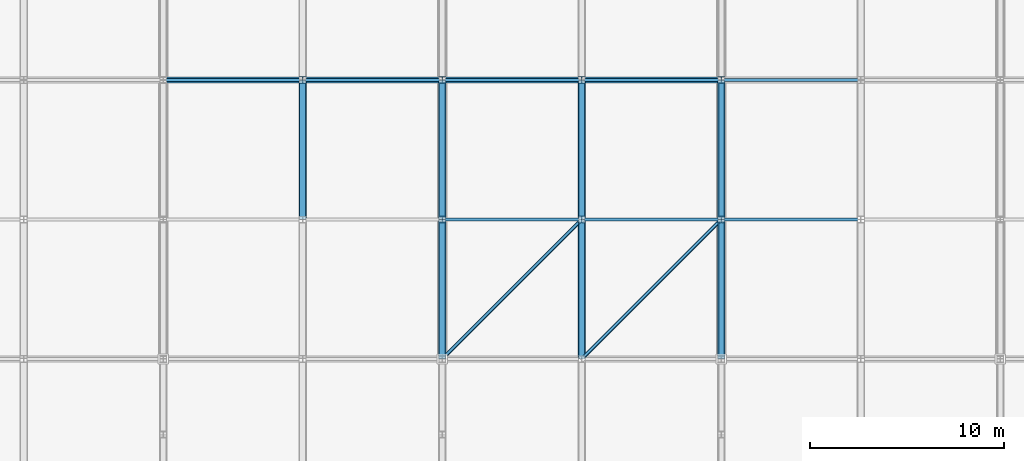
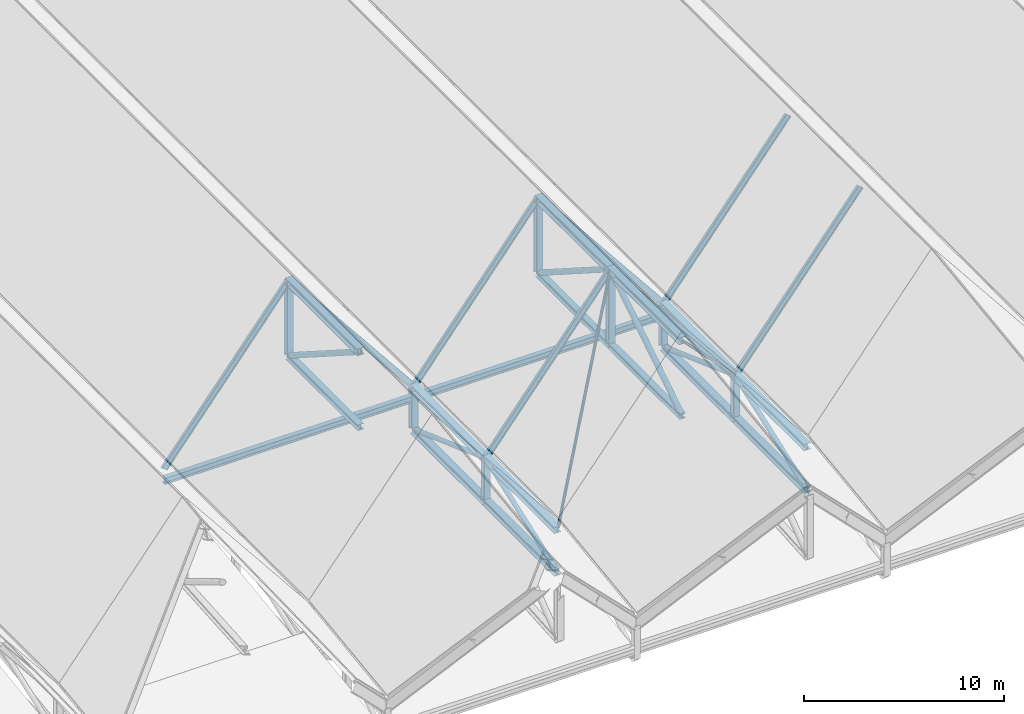
# One storey, part 6 of 60: 38 members, 2 beams.
"""IFC4 building model written with IfcOpenShell, lengths in metres."""

import ifcopenshell
import ifcopenshell.guid

model = None  # the IFC model being written
_history = None  # IfcOwnerHistory: only IFC2X3 demands one
_inside = {}  # id of a spatial element -> (the spatial element, [elements in it])
_under = {}  # id of a project, library or spatial element -> (it, [spatial elements below it])
_declared = {}  # id of a project -> (the project, [libraries it declares])
_typed = {}  # id of a type object -> (the type object, [elements of that type])
_made_of = {}  # id of a material, layer set ... -> (it, [elements and type objects made of it])


def new_model(schema):
    """Start an empty IFC model of exactly this schema.

    Asked for "IFC4X3", IfcOpenShell would pick the latest addendum, in which some entities
    have other attributes; the version numbers below select the first issue.
    IFC2X3 requires an IfcOwnerHistory on every rooted entity: one is made here for all.
    """
    global model, _history
    if schema == "IFC4X3":
        model = ifcopenshell.file(schema_version=(4, 3, 0, 0))
    else:
        model = ifcopenshell.file(schema=schema)
    _inside.clear()
    _under.clear()
    _declared.clear()
    _typed.clear()
    _made_of.clear()
    _history = None
    if model.schema == "IFC2X3":
        org = make("IfcOrganization", Name="unknown")
        user = make(
            "IfcPersonAndOrganization",
            ThePerson=make("IfcPerson", FamilyName="unknown"),
            TheOrganization=org,
        )
        app = make(
            "IfcApplication",
            ApplicationDeveloper=org,
            Version="unknown",
            ApplicationFullName="unknown",
            ApplicationIdentifier="unknown",
        )
        _history = make(
            "IfcOwnerHistory",
            OwningUser=user,
            OwningApplication=app,
            ChangeAction="ADDED",
            CreationDate=0,
        )
    return model


def make(cls, **values):
    """One entity of the class cls with the attributes given. An attribute that is None is left unset."""
    return model.create_entity(
        cls, **{name: value for name, value in values.items() if value is not None}
    )


def rooted(cls, **values):
    """An entity with a GlobalId (a new one), such as an element, a storey or a relation."""
    return make(cls, GlobalId=ifcopenshell.guid.new(), OwnerHistory=_history, **values)


def si_unit(unit_type, name, prefix=None):
    """IfcSIUnit, for example si_unit("LENGTHUNIT", "METRE", prefix="MILLI")."""
    return make("IfcSIUnit", UnitType=unit_type, Prefix=prefix, Name=name)


def assignment(units):
    """IfcUnitAssignment: the units of a project."""
    return None if units is None else make("IfcUnitAssignment", Units=units)


def point(xyz):
    """IfcCartesianPoint."""
    return None if xyz is None else make("IfcCartesianPoint", Coordinates=xyz)


def direction(xyz):
    """IfcDirection."""
    return None if xyz is None else make("IfcDirection", DirectionRatios=xyz)


def frame(location, z_axis=None, x_axis=None):
    """IfcAxis2Placement3D, a coordinate frame: its origin and axes. An axis left out is left unset."""
    return make(
        "IfcAxis2Placement3D",
        Location=point(location),
        Axis=direction(z_axis),
        RefDirection=direction(x_axis),
    )


def frame_2d(location, x_axis=None):
    """IfcAxis2Placement2D, a coordinate frame in the plane: its origin and x axis."""
    return make(
        "IfcAxis2Placement2D", Location=point(location), RefDirection=direction(x_axis)
    )


def origin():
    """The frame at (0, 0, 0) with its axes left unset."""
    return frame((0.0, 0.0, 0.0))


def origin_2d():
    """The frame at (0, 0) in the plane with its x axis left unset."""
    return frame_2d((0.0, 0.0))


def place(relative_to, where):
    """IfcLocalPlacement: puts the frame where relative to a parent placement (None: the world)."""
    return make(
        "IfcLocalPlacement", PlacementRelTo=relative_to, RelativePlacement=where
    )


def context(
    kind, dimensions, precision=None, world=None, true_north=None, identifier=None
):
    """IfcGeometricRepresentationContext, for example the 3D "Model" context."""
    return make(
        "IfcGeometricRepresentationContext",
        ContextIdentifier=identifier,
        ContextType=kind,
        CoordinateSpaceDimension=dimensions,
        Precision=precision,
        WorldCoordinateSystem=world,
        TrueNorth=true_north,
    )


def subcontext(parent, identifier, kind, view, scale=None):
    """IfcGeometricRepresentationSubContext, for example "Body" below "Model"."""
    return make(
        "IfcGeometricRepresentationSubContext",
        ContextIdentifier=identifier,
        ContextType=kind,
        ParentContext=parent,
        TargetScale=scale,
        TargetView=view,
    )


def project(units=None, contexts=None):
    """IfcProject with its units and contexts."""
    return rooted(
        "IfcProject",
        Name="project",
        RepresentationContexts=contexts,
        UnitsInContext=assignment(units),
    )


def spatial(cls, under=None, at=None, **own):
    """A site, building, storey or space (cls), placed at a placement, below another one or the project."""
    s = rooted(cls, ObjectPlacement=at, **own)
    if under is not None:
        _under.setdefault(under.id(), (under, []))[1].append(s)
    return s


def profile(cls, at=None, kind="AREA", **sizes):
    """A parametric profile (cls). Its sizes go by their IFC names, for example OverallWidth=200.0."""
    return make(cls, ProfileType=kind, Position=at, **sizes)


def hollow_circle(**sizes):
    """IfcCircleHollowProfileDef."""
    return profile("IfcCircleHollowProfileDef", **sizes)


def i_section(**sizes):
    """IfcIShapeProfileDef."""
    return profile("IfcIShapeProfileDef", **sizes)


def extrude(swept, where, along, depth):
    """IfcExtrudedAreaSolid: the profile swept, set in the frame where, extruded along a direction by depth."""
    return make(
        "IfcExtrudedAreaSolid",
        SweptArea=swept,
        Position=where,
        ExtrudedDirection=direction(along),
        Depth=depth,
    )


def shape(context_of_items, identifier, shape_type, items):
    """IfcShapeRepresentation: the items that make up one representation, for example the "Body"."""
    return make(
        "IfcShapeRepresentation",
        ContextOfItems=context_of_items,
        RepresentationIdentifier=identifier,
        RepresentationType=shape_type,
        Items=items,
    )


def material(Name=None, Category=None):
    """IfcMaterial."""
    return make("IfcMaterial", Name=Name, Category=Category)


def material_profile(
    of_material, cross_section, Name=None, Category=None, Priority=None
):
    """IfcMaterialProfile: a cross section and its material."""
    return make(
        "IfcMaterialProfile",
        Name=Name,
        Material=of_material,
        Profile=cross_section,
        Priority=Priority,
        Category=Category,
    )


def profile_set(profiles, Name=None, composite=None):
    """IfcMaterialProfileSet."""
    return make(
        "IfcMaterialProfileSet",
        Name=Name,
        MaterialProfiles=profiles,
        CompositeProfile=composite,
    )


def made_of(thing, what):
    """Note that an element or type object is made of a material, layer set ...; save() writes the relation."""
    if what is not None:
        _made_of.setdefault(what.id(), (what, []))[1].append(thing)
    return thing


def type_object(cls, material=None, **own):
    """A type object (cls), such as IfcWallType, which elements share."""
    return made_of(rooted(cls, **own), material)


def element(
    cls,
    number,
    at=None,
    inside=None,
    cuts=None,
    type_object=None,
    material=None,
    context=None,
    identifier="Body",
    shape_type=None,
    held_by="IfcProductDefinitionShape",
    body=None,
    shapes=None,
    **own,
):
    """One element of the class cls, such as IfcWall. Its Tag is "e" and its number.

    at: its placement. inside: the storey or other place that contains it. cuts: it is an
    opening in that element (IfcRelVoidsElement). A single representation is given by context,
    identifier, shape_type and body (its items); several are given by shapes. held_by: the class
    of the entity that holds the representations. save() writes the other relations.
    """
    e = rooted(cls, Tag="e%d" % number, ObjectPlacement=at, **own)
    if body is not None:
        shapes = [shape(context, identifier, shape_type, body)]
    if shapes is not None:
        e.Representation = make(held_by, Representations=shapes)
    if inside is not None:
        _inside.setdefault(inside.id(), (inside, []))[1].append(e)
    if cuts is not None:
        rooted(
            "IfcRelVoidsElement", RelatingBuildingElement=cuts, RelatedOpeningElement=e
        )
    if type_object is not None:
        _typed.setdefault(type_object.id(), (type_object, []))[1].append(e)
    return made_of(e, material)


def aggregate(whole, parts):
    """IfcRelAggregates: a whole, such as a stair, and the parts it consists of."""
    return rooted("IfcRelAggregates", RelatingObject=whole, RelatedObjects=parts)


def save(model, path):
    """Write the relations noted so far, then the file.

    IfcRelAggregates (storeys below a building ...), IfcRelContainedInSpatialStructure (elements
    in a storey), IfcRelDefinesByType, IfcRelAssociatesMaterial and IfcRelDeclares: one each for
    every whole, place, type object, material and project.
    """
    for whole, parts in _under.values():
        aggregate(whole, parts)
    for where, things in _inside.values():
        rooted(
            "IfcRelContainedInSpatialStructure",
            RelatedElements=things,
            RelatingStructure=where,
        )
    for kind, things in _typed.values():
        rooted("IfcRelDefinesByType", RelatedObjects=things, RelatingType=kind)
    for what, things in _made_of.values():
        rooted("IfcRelAssociatesMaterial", RelatedObjects=things, RelatingMaterial=what)
    for by, libraries in _declared.values():
        rooted("IfcRelDeclares", RelatingContext=by, RelatedDefinitions=libraries)
    model.write(path)


model = new_model("IFC4")

# Units and contexts
model_context = context("Model", 3, precision=1e-05, world=origin(), true_north=direction((0.0, 1.0)))
body_context = subcontext(model_context, "Body", "Model", "MODEL_VIEW")
ifc_project = project(units=[si_unit("LENGTHUNIT", "METRE"), si_unit("AREAUNIT", "SQUARE_METRE"), si_unit("VOLUMEUNIT", "CUBIC_METRE"), si_unit("PLANEANGLEUNIT", "RADIAN"), si_unit("MASSUNIT", "GRAM", prefix="KILO")], contexts=[model_context])

# Site, building, storey
site_placement = place(None, origin())
site = spatial("IfcSite", under=ifc_project, at=site_placement, CompositionType="ELEMENT")
building_placement = place(site_placement, origin())
building = spatial("IfcBuilding", under=site, at=building_placement, Name="Vesperath Aquatics Centre", CompositionType="ELEMENT")
storey_placement = place(building_placement, frame((0.0, 0.0, 27.60009765625)))
storey = spatial("IfcBuildingStorey", under=building, at=storey_placement, Name="RF", CompositionType="ELEMENT", Elevation=27.60009765625)

# Beams
ifc_material_1 = material(Name="Steel Q355C", Category="steel")
ifc_material_profile_1 = material_profile(ifc_material_1, i_section(OverallWidth=0.300048828125, OverallDepth=0.389892578125, WebThickness=0.010009765625, FlangeThickness=0.01611328125, FilletRadius=0.02197265625, at=origin_2d()), Name="HM 390x300x10x16")
ifc_profile_set_1 = profile_set([ifc_material_profile_1], Name="Steel Q355C")
beam_type = type_object("IfcBeamType", Name="BM-RB03", PredefinedType="BEAM", material=ifc_profile_set_1)
beam_1_placement = place(storey_placement, frame((28.800048828125, 28.800048828125, -10.478759765625), z_axis=(1.0, 0.0, 0.0), x_axis=(0.0, 1.0, 0.0)))
element("IfcBeam", 1, at=beam_1_placement, inside=storey, type_object=beam_type, Name="Natatorium Roof Deck Support Beam B11 G3-28.8", PredefinedType="BEAM", context=body_context, shape_type="SweptSolid", body=[
    extrude(i_section(OverallWidth=0.300048828125, OverallDepth=0.389892578125, WebThickness=0.010009765625, FlangeThickness=0.01611328125, FilletRadius=0.02197265625, at=origin_2d()), origin(), (0.0, 0.0, 1.0), 14.39990234375),
])
beam_2_placement = place(storey_placement, frame((43.199951171875, 28.800048828125, -10.478759765625), z_axis=(1.0, 0.0, 0.0), x_axis=(0.0, 1.0, 0.0)))
element("IfcBeam", 2, at=beam_2_placement, inside=storey, type_object=beam_type, Name="Natatorium Roof Deck Support Beam B11 G4-28.8", PredefinedType="BEAM", context=body_context, shape_type="SweptSolid", body=[
    extrude(i_section(OverallWidth=0.300048828125, OverallDepth=0.389892578125, WebThickness=0.010009765625, FlangeThickness=0.01611328125, FilletRadius=0.02197265625, at=origin_2d()), origin(), (0.0, 0.0, 1.0), 14.400146484375),
])

# Members
ifc_material_2 = material(Name="Steel Q355D", Category="steel")
ifc_material_profile_2 = material_profile(ifc_material_2, i_section(OverallWidth=0.39990234375, OverallDepth=0.39990234375, WebThickness=0.012939453125, FlangeThickness=0.02099609375, FilletRadius=0.02197265625, at=origin_2d()), Name="HW 400x400x13x21")
ifc_profile_set_2 = profile_set([ifc_material_profile_2], Name="Steel Q355D")
member_type_1 = type_object("IfcMemberType", Name="MB-BC01", PredefinedType="CHORD", material=ifc_profile_set_2)
member_1_placement = place(storey_placement, frame((43.199951171875, 14.39990234375, -12.400146484375), z_axis=(0.0, 1.0, 0.0), x_axis=(-1.0, 0.0, 0.0)))
element("IfcMember", 3, at=member_1_placement, inside=storey, type_object=member_type_1, Name="Natatorium ROOF TRUSS Bottom Chord BC01 G7-3", PredefinedType="CHORD", context=body_context, shape_type="SweptSolid", body=[
    extrude(i_section(OverallWidth=0.39990234375, OverallDepth=0.39990234375, WebThickness=0.012939453125, FlangeThickness=0.02099609375, FilletRadius=0.02197265625, at=origin_2d()), origin(), (0.0, 0.0, 1.0), 7.2001953125),
])
member_2_placement = place(storey_placement, frame((43.199951171875, 21.60009765625, -12.400146484375), z_axis=(0.0, 1.0, 0.0), x_axis=(-1.0, 0.0, 0.0)))
element("IfcMember", 4, at=member_2_placement, inside=storey, type_object=member_type_1, Name="Natatorium ROOF TRUSS Bottom Chord BC01 G7-4", PredefinedType="CHORD", context=body_context, shape_type="SweptSolid", body=[
    extrude(i_section(OverallWidth=0.39990234375, OverallDepth=0.39990234375, WebThickness=0.012939453125, FlangeThickness=0.02099609375, FilletRadius=0.02197265625, at=origin_2d()), origin(), (0.0, 0.0, 1.0), 7.199951171875),
])
member_3_placement = place(storey_placement, frame((57.60009765625, 14.39990234375, -12.400146484375), z_axis=(0.0, 1.0, 0.0), x_axis=(-1.0, 0.0, 0.0)))
element("IfcMember", 5, at=member_3_placement, inside=storey, type_object=member_type_1, Name="Natatorium ROOF TRUSS Bottom Chord BC01 G9-3", PredefinedType="CHORD", context=body_context, shape_type="SweptSolid", body=[
    extrude(i_section(OverallWidth=0.39990234375, OverallDepth=0.39990234375, WebThickness=0.012939453125, FlangeThickness=0.02099609375, FilletRadius=0.02197265625, at=origin_2d()), origin(), (0.0, 0.0, 1.0), 7.2001953125),
])
member_4_placement = place(storey_placement, frame((57.60009765625, 21.60009765625, -12.400146484375), z_axis=(0.0, 1.0, 0.0), x_axis=(-1.0, 0.0, 0.0)))
element("IfcMember", 6, at=member_4_placement, inside=storey, type_object=member_type_1, Name="Natatorium ROOF TRUSS Bottom Chord BC01 G9-4", PredefinedType="CHORD", context=body_context, shape_type="SweptSolid", body=[
    extrude(i_section(OverallWidth=0.39990234375, OverallDepth=0.39990234375, WebThickness=0.012939453125, FlangeThickness=0.02099609375, FilletRadius=0.02197265625, at=origin_2d()), origin(), (0.0, 0.0, 1.0), 7.199951171875),
])
ifc_material_profile_3 = material_profile(ifc_material_2, i_section(OverallWidth=0.35009765625, OverallDepth=0.35009765625, WebThickness=0.011962890625, FlangeThickness=0.01904296875, FilletRadius=0.02001953125, at=origin_2d()), Name="HW 350x350x12x19")
ifc_profile_set_3 = profile_set([ifc_material_profile_3], Name="Steel Q355D")
member_type_2 = type_object("IfcMemberType", Name="MB-BC02", PredefinedType="CHORD", material=ifc_profile_set_3)
member_5_placement = place(storey_placement, frame((36.0, 21.60009765625, -5.400146484375), z_axis=(0.0, 1.0, 0.0), x_axis=(-1.0, 0.0, 0.0)))
element("IfcMember", 7, at=member_5_placement, inside=storey, type_object=member_type_2, Name="Natatorium ROOF TRUSS Bottom Chord BC02 G6-4", PredefinedType="CHORD", context=body_context, shape_type="SweptSolid", body=[
    extrude(i_section(OverallWidth=0.35009765625, OverallDepth=0.35009765625, WebThickness=0.011962890625, FlangeThickness=0.01904296875, FilletRadius=0.02001953125, at=origin_2d()), origin(), (0.0, 0.0, 1.0), 7.199951171875),
])
member_6_placement = place(storey_placement, frame((50.39990234375, 14.39990234375, -5.400146484375), z_axis=(0.0, 1.0, 0.0), x_axis=(-1.0, 0.0, 0.0)))
element("IfcMember", 8, at=member_6_placement, inside=storey, type_object=member_type_2, Name="Natatorium ROOF TRUSS Bottom Chord BC02 G8-3", PredefinedType="CHORD", context=body_context, shape_type="SweptSolid", body=[
    extrude(i_section(OverallWidth=0.35009765625, OverallDepth=0.35009765625, WebThickness=0.011962890625, FlangeThickness=0.01904296875, FilletRadius=0.02001953125, at=origin_2d()), origin(), (0.0, 0.0, 1.0), 7.2001953125),
])
member_7_placement = place(storey_placement, frame((50.39990234375, 21.60009765625, -5.400146484375), z_axis=(0.0, 1.0, 0.0), x_axis=(-1.0, 0.0, 0.0)))
element("IfcMember", 9, at=member_7_placement, inside=storey, type_object=member_type_2, Name="Natatorium ROOF TRUSS Bottom Chord BC02 G8-4", PredefinedType="CHORD", context=body_context, shape_type="SweptSolid", body=[
    extrude(i_section(OverallWidth=0.35009765625, OverallDepth=0.35009765625, WebThickness=0.011962890625, FlangeThickness=0.01904296875, FilletRadius=0.02001953125, at=origin_2d()), origin(), (0.0, 0.0, 1.0), 7.199951171875),
])
ifc_material_profile_4 = material_profile(ifc_material_2, hollow_circle(Radius=0.084228515625, WallThickness=0.008056640625, at=origin_2d()), Name="CHS 168.3x8")
ifc_profile_set_4 = profile_set([ifc_material_profile_4], Name="Steel Q355D")
member_type_3 = type_object("IfcMemberType", Name="MB-BR01", PredefinedType="BRACE", material=ifc_profile_set_4)
for number, where, z_axis, x_axis, name in (
    (10, (43.242431640625, 14.4423828125, -9.7470703125), (0.529812942826, 0.529812942826, 0.662266178533), (-0.707106781187, 0.707106781187, 0.0), "Natatorium Roof Brace BR01 B7-14"),
    (11, (50.4423828125, 14.4423828125, -0.85302734375), (0.529812942826, 0.529812942826, -0.662266178533), (-0.707106781187, 0.707106781187, 0.0), "Natatorium Roof Brace BR01 B8-14"),
):
    element("IfcMember", number, at=place(storey_placement, frame(where, z_axis=z_axis, x_axis=x_axis)), inside=storey, type_object=member_type_3, Name=name, PredefinedType="BRACE", context=body_context, shape_type="SweptSolid", body=[
        extrude(hollow_circle(Radius=0.084228515625, WallThickness=0.008056640625, at=origin_2d()), origin(), (0.0, 0.0, 1.0), 13.4296875),
    ])
ifc_material_profile_5 = material_profile(ifc_material_1, i_section(OverallWidth=0.175048828125, OverallDepth=0.35009765625, WebThickness=0.007080078125, FlangeThickness=0.010986328125, FilletRadius=0.012939453125, at=origin_2d()), Name="HN 350x175x7x11")
ifc_profile_set_5 = profile_set([ifc_material_profile_5], Name="Steel Q355C")
member_type_4 = type_object("IfcMemberType", Name="MB-PR01", PredefinedType="PURLIN", material=ifc_profile_set_5)
for number, where, z_axis, x_axis, name in (
    (12, (28.800048828125, 28.800048828125, -9.800048828125), (0.624692464322, 0.0, 0.780870876022), (0.0, 1.0, 0.0), "Natatorium Roof Purlin PR01 B5-3"),
    (13, (36.0, 28.800048828125, -0.800048828125), (0.624692464322, 0.0, -0.780870876022), (0.0, 1.0, 0.0), "Natatorium Roof Purlin PR01 B6-3"),
    (14, (43.199951171875, 21.60009765625, -9.800048828125), (0.624692464322, 0.0, 0.780870876022), (0.0, 1.0, 0.0), "Natatorium Roof Purlin PR01 B7-2"),
    (15, (43.199951171875, 28.800048828125, -9.800048828125), (0.624692464322, 0.0, 0.780870876022), (0.0, 1.0, 0.0), "Natatorium Roof Purlin PR01 B7-3"),
    (16, (50.39990234375, 21.60009765625, -0.800048828125), (0.624705380279, 0.0, -0.780860543151), (0.0, 1.0, 0.0), "Natatorium Roof Purlin PR01 B8-2"),
    (17, (50.39990234375, 28.800048828125, -0.800048828125), (0.624705380279, 0.0, -0.780860543151), (0.0, 1.0, 0.0), "Natatorium Roof Purlin PR01 B8-3"),
    (18, (57.60009765625, 21.60009765625, -9.800048828125), (0.624692464322, 0.0, 0.780870876022), (0.0, 1.0, 0.0), "Natatorium Roof Purlin PR01 B9-2"),
    (19, (57.60009765625, 28.800048828125, -9.800048828125), (0.624692464322, 0.0, 0.780870876022), (0.0, 1.0, 0.0), "Natatorium Roof Purlin PR01 B9-3"),
):
    element("IfcMember", number, at=place(storey_placement, frame(where, z_axis=z_axis, x_axis=x_axis)), inside=storey, type_object=member_type_4, Name=name, PredefinedType="PURLIN", context=body_context, shape_type="SweptSolid", body=[
        extrude(i_section(OverallWidth=0.175048828125, OverallDepth=0.35009765625, WebThickness=0.007080078125, FlangeThickness=0.010986328125, FilletRadius=0.012939453125, at=origin_2d()), origin(), (0.0, 0.0, 1.0), 11.525634765625),
    ])
ifc_material_profile_6 = material_profile(ifc_material_2, i_section(OverallWidth=0.406982421875, OverallDepth=0.427978515625, WebThickness=0.02001953125, FlangeThickness=0.034912109375, FilletRadius=0.02197265625, at=origin_2d()), Name="HW 428x407x20x35")
ifc_profile_set_6 = profile_set([ifc_material_profile_6], Name="Steel Q355D")
member_type_5 = type_object("IfcMemberType", Name="MB-TC01", PredefinedType="CHORD", material=ifc_profile_set_6)
member_8_placement = place(storey_placement, frame((36.0, 21.60009765625, -0.800048828125), z_axis=(0.0, 1.0, 0.0), x_axis=(-1.0, 0.0, 0.0)))
element("IfcMember", 20, at=member_8_placement, inside=storey, type_object=member_type_5, Name="Natatorium ROOF TRUSS Top Chord TC01 G6-4", PredefinedType="CHORD", context=body_context, shape_type="SweptSolid", body=[
    extrude(i_section(OverallWidth=0.406982421875, OverallDepth=0.427978515625, WebThickness=0.02001953125, FlangeThickness=0.034912109375, FilletRadius=0.02197265625, at=origin_2d()), origin(), (0.0, 0.0, 1.0), 7.199951171875),
])
member_9_placement = place(storey_placement, frame((50.39990234375, 14.39990234375, -0.800048828125), z_axis=(0.0, 1.0, 0.0), x_axis=(-1.0, 0.0, 0.0)))
element("IfcMember", 21, at=member_9_placement, inside=storey, type_object=member_type_5, Name="Natatorium ROOF TRUSS Top Chord TC01 G8-3", PredefinedType="CHORD", context=body_context, shape_type="SweptSolid", body=[
    extrude(i_section(OverallWidth=0.406982421875, OverallDepth=0.427978515625, WebThickness=0.02001953125, FlangeThickness=0.034912109375, FilletRadius=0.02197265625, at=origin_2d()), origin(), (0.0, 0.0, 1.0), 7.2001953125),
])
member_10_placement = place(storey_placement, frame((50.39990234375, 21.60009765625, -0.800048828125), z_axis=(0.0, 1.0, 0.0), x_axis=(-1.0, 0.0, 0.0)))
element("IfcMember", 22, at=member_10_placement, inside=storey, type_object=member_type_5, Name="Natatorium ROOF TRUSS Top Chord TC01 G8-4", PredefinedType="CHORD", context=body_context, shape_type="SweptSolid", body=[
    extrude(i_section(OverallWidth=0.406982421875, OverallDepth=0.427978515625, WebThickness=0.02001953125, FlangeThickness=0.034912109375, FilletRadius=0.02197265625, at=origin_2d()), origin(), (0.0, 0.0, 1.0), 7.199951171875),
])
ifc_material_profile_7 = material_profile(ifc_material_2, i_section(OverallWidth=0.39990234375, OverallDepth=0.39990234375, WebThickness=0.012939453125, FlangeThickness=0.02099609375, FilletRadius=0.02197265625, at=origin_2d()), Name="HW 400x400x13x21")
ifc_profile_set_7 = profile_set([ifc_material_profile_7], Name="Steel Q355D")
member_type_6 = type_object("IfcMemberType", Name="MB-TC02", PredefinedType="CHORD", material=ifc_profile_set_7)
member_11_placement = place(storey_placement, frame((43.199951171875, 14.39990234375, -9.800048828125), z_axis=(0.0, 1.0, 0.0), x_axis=(-1.0, 0.0, 0.0)))
element("IfcMember", 23, at=member_11_placement, inside=storey, type_object=member_type_6, Name="Natatorium ROOF TRUSS Top Chord TC02 G7-3", PredefinedType="CHORD", context=body_context, shape_type="SweptSolid", body=[
    extrude(i_section(OverallWidth=0.39990234375, OverallDepth=0.39990234375, WebThickness=0.012939453125, FlangeThickness=0.02099609375, FilletRadius=0.02197265625, at=origin_2d()), origin(), (0.0, 0.0, 1.0), 7.2001953125),
])
member_12_placement = place(storey_placement, frame((43.199951171875, 21.60009765625, -9.800048828125), z_axis=(0.0, 1.0, 0.0), x_axis=(-1.0, 0.0, 0.0)))
element("IfcMember", 24, at=member_12_placement, inside=storey, type_object=member_type_6, Name="Natatorium ROOF TRUSS Top Chord TC02 G7-4", PredefinedType="CHORD", context=body_context, shape_type="SweptSolid", body=[
    extrude(i_section(OverallWidth=0.39990234375, OverallDepth=0.39990234375, WebThickness=0.012939453125, FlangeThickness=0.02099609375, FilletRadius=0.02197265625, at=origin_2d()), origin(), (0.0, 0.0, 1.0), 7.199951171875),
])
member_13_placement = place(storey_placement, frame((57.60009765625, 14.39990234375, -9.800048828125), z_axis=(0.0, 1.0, 0.0), x_axis=(-1.0, 0.0, 0.0)))
element("IfcMember", 25, at=member_13_placement, inside=storey, type_object=member_type_6, Name="Natatorium ROOF TRUSS Top Chord TC02 G9-3", PredefinedType="CHORD", context=body_context, shape_type="SweptSolid", body=[
    extrude(i_section(OverallWidth=0.39990234375, OverallDepth=0.39990234375, WebThickness=0.012939453125, FlangeThickness=0.02099609375, FilletRadius=0.02197265625, at=origin_2d()), origin(), (0.0, 0.0, 1.0), 7.2001953125),
])
member_14_placement = place(storey_placement, frame((57.60009765625, 21.60009765625, -9.800048828125), z_axis=(0.0, 1.0, 0.0), x_axis=(-1.0, 0.0, 0.0)))
element("IfcMember", 26, at=member_14_placement, inside=storey, type_object=member_type_6, Name="Natatorium ROOF TRUSS Top Chord TC02 G9-4", PredefinedType="CHORD", context=body_context, shape_type="SweptSolid", body=[
    extrude(i_section(OverallWidth=0.39990234375, OverallDepth=0.39990234375, WebThickness=0.012939453125, FlangeThickness=0.02099609375, FilletRadius=0.02197265625, at=origin_2d()), origin(), (0.0, 0.0, 1.0), 7.199951171875),
])
ifc_material_profile_8 = material_profile(ifc_material_2, hollow_circle(Radius=0.161865234375, WallThickness=0.013916015625, at=origin_2d()), Name="CHS 323.9x14")
ifc_profile_set_8 = profile_set([ifc_material_profile_8], Name="Steel Q355D")
member_type_7 = type_object("IfcMemberType", Name="MB-TD01", PredefinedType="BRACE", material=ifc_profile_set_8)
member_15_placement = place(storey_placement, frame((36.0, 21.66748046875, -0.84326171875), z_axis=(0.0, 0.84270690245, -0.538372618698), x_axis=(-1.0, 0.0, 0.0)))
element("IfcMember", 27, at=member_15_placement, inside=storey, type_object=member_type_7, Name="Natatorium ROOF TRUSS Diagonal TD01 G6-4", PredefinedType="BRACE", context=body_context, shape_type="SweptSolid", body=[
    extrude(hollow_circle(Radius=0.161865234375, WallThickness=0.013916015625, at=origin_2d()), origin(), (0.0, 0.0, 1.0), 8.384033203125),
])
member_16_placement = place(storey_placement, frame((50.39990234375, 14.467529296875, -5.35693359375), z_axis=(0.0, 0.842698461818, 0.538385830468), x_axis=(-1.0, 0.0, 0.0)))
element("IfcMember", 28, at=member_16_placement, inside=storey, type_object=member_type_7, Name="Natatorium ROOF TRUSS Diagonal TD01 G8-3", PredefinedType="BRACE", context=body_context, shape_type="SweptSolid", body=[
    extrude(hollow_circle(Radius=0.161865234375, WallThickness=0.013916015625, at=origin_2d()), origin(), (0.0, 0.0, 1.0), 8.3837890625),
])
member_17_placement = place(storey_placement, frame((50.39990234375, 21.66748046875, -0.84326171875), z_axis=(0.0, 0.84270690245, -0.538372618698), x_axis=(-1.0, 0.0, 0.0)))
element("IfcMember", 29, at=member_17_placement, inside=storey, type_object=member_type_7, Name="Natatorium ROOF TRUSS Diagonal TD01 G8-4", PredefinedType="BRACE", context=body_context, shape_type="SweptSolid", body=[
    extrude(hollow_circle(Radius=0.161865234375, WallThickness=0.013916015625, at=origin_2d()), origin(), (0.0, 0.0, 1.0), 8.384033203125),
])
ifc_material_profile_9 = material_profile(ifc_material_2, hollow_circle(Radius=0.136474609375, WallThickness=0.011962890625, at=origin_2d()), Name="CHS 273.0x12")
ifc_profile_set_9 = profile_set([ifc_material_profile_9], Name="Steel Q355D")
member_type_8 = type_object("IfcMemberType", Name="MB-TD02", PredefinedType="BRACE", material=ifc_profile_set_9)
member_18_placement = place(storey_placement, frame((43.199951171875, 14.475341796875, -12.373046875), z_axis=(0.0, 0.940540602568, 0.339681284324), x_axis=(-1.0, 0.0, 0.0)))
element("IfcMember", 30, at=member_18_placement, inside=storey, type_object=member_type_8, Name="Natatorium ROOF TRUSS Diagonal TD02 G7-3", PredefinedType="BRACE", context=body_context, shape_type="SweptSolid", body=[
    extrude(hollow_circle(Radius=0.136474609375, WallThickness=0.011962890625, at=origin_2d()), origin(), (0.0, 0.0, 1.0), 7.494873046875),
])
member_19_placement = place(storey_placement, frame((43.199951171875, 21.67529296875, -9.8271484375), z_axis=(0.0, 0.940544360889, -0.339670877761), x_axis=(-1.0, 0.0, 0.0)))
element("IfcMember", 31, at=member_19_placement, inside=storey, type_object=member_type_8, Name="Natatorium ROOF TRUSS Diagonal TD02 G7-4", PredefinedType="BRACE", context=body_context, shape_type="SweptSolid", body=[
    extrude(hollow_circle(Radius=0.136474609375, WallThickness=0.011962890625, at=origin_2d()), origin(), (0.0, 0.0, 1.0), 7.4951171875),
])
member_20_placement = place(storey_placement, frame((57.60009765625, 14.475341796875, -12.373046875), z_axis=(0.0, 0.940540602568, 0.339681284324), x_axis=(-1.0, 0.0, 0.0)))
element("IfcMember", 32, at=member_20_placement, inside=storey, type_object=member_type_8, Name="Natatorium ROOF TRUSS Diagonal TD02 G9-3", PredefinedType="BRACE", context=body_context, shape_type="SweptSolid", body=[
    extrude(hollow_circle(Radius=0.136474609375, WallThickness=0.011962890625, at=origin_2d()), origin(), (0.0, 0.0, 1.0), 7.494873046875),
])
member_21_placement = place(storey_placement, frame((57.60009765625, 21.67529296875, -9.8271484375), z_axis=(0.0, 0.940544360889, -0.339670877761), x_axis=(-1.0, 0.0, 0.0)))
element("IfcMember", 33, at=member_21_placement, inside=storey, type_object=member_type_8, Name="Natatorium ROOF TRUSS Diagonal TD02 G9-4", PredefinedType="BRACE", context=body_context, shape_type="SweptSolid", body=[
    extrude(hollow_circle(Radius=0.136474609375, WallThickness=0.011962890625, at=origin_2d()), origin(), (0.0, 0.0, 1.0), 7.4951171875),
])
ifc_material_profile_10 = material_profile(ifc_material_2, i_section(OverallWidth=0.35009765625, OverallDepth=0.35009765625, WebThickness=0.011962890625, FlangeThickness=0.01904296875, FilletRadius=0.02001953125, at=origin_2d()), Name="HW 350x350x12x19")
ifc_profile_set_10 = profile_set([ifc_material_profile_10], Name="Steel Q355D")
member_type_9 = type_object("IfcMemberType", Name="MB-TP01", PredefinedType="POST", material=ifc_profile_set_10)
member_22_placement = place(storey_placement, frame((36.0, 28.800048828125, -5.400146484375), z_axis=(0.0, 0.0, 1.0), x_axis=(1.0, 0.0, 0.0)))
element("IfcMember", 34, at=member_22_placement, inside=storey, type_object=member_type_9, Name="Natatorium ROOF TRUSS Post TP01 G6-5", PredefinedType="POST", context=body_context, shape_type="SweptSolid", body=[
    extrude(i_section(OverallWidth=0.35009765625, OverallDepth=0.35009765625, WebThickness=0.011962890625, FlangeThickness=0.01904296875, FilletRadius=0.02001953125, at=origin_2d()), origin(), (0.0, 0.0, 1.0), 4.60009765625),
])
for number, where, z_axis, x_axis, name in (
    (35, (43.199951171875, 21.60009765625, -12.400146484375), (0.0, 0.0, 1.0), (1.0, 0.0, 0.0), "Natatorium ROOF TRUSS Post TP01 G7-4"),
    (36, (43.199951171875, 28.800048828125, -12.400146484375), (0.0, 0.0, 1.0), (1.0, 0.0, 0.0), "Natatorium ROOF TRUSS Post TP01 G7-5"),
):
    element("IfcMember", number, at=place(storey_placement, frame(where, z_axis=z_axis, x_axis=x_axis)), inside=storey, type_object=member_type_9, Name=name, PredefinedType="POST", context=body_context, shape_type="SweptSolid", body=[
        extrude(i_section(OverallWidth=0.35009765625, OverallDepth=0.35009765625, WebThickness=0.011962890625, FlangeThickness=0.01904296875, FilletRadius=0.02001953125, at=origin_2d()), origin(), (0.0, 0.0, 1.0), 2.60009765625),
    ])
for number, where, z_axis, x_axis, name in (
    (37, (50.39990234375, 21.60009765625, -5.400146484375), (0.0, 0.0, 1.0), (1.0, 0.0, 0.0), "Natatorium ROOF TRUSS Post TP01 G8-4"),
    (38, (50.39990234375, 28.800048828125, -5.400146484375), (0.0, 0.0, 1.0), (1.0, 0.0, 0.0), "Natatorium ROOF TRUSS Post TP01 G8-5"),
):
    element("IfcMember", number, at=place(storey_placement, frame(where, z_axis=z_axis, x_axis=x_axis)), inside=storey, type_object=member_type_9, Name=name, PredefinedType="POST", context=body_context, shape_type="SweptSolid", body=[
        extrude(i_section(OverallWidth=0.35009765625, OverallDepth=0.35009765625, WebThickness=0.011962890625, FlangeThickness=0.01904296875, FilletRadius=0.02001953125, at=origin_2d()), origin(), (0.0, 0.0, 1.0), 4.60009765625),
    ])
for number, where, z_axis, x_axis, name in (
    (39, (57.60009765625, 21.60009765625, -12.400146484375), (0.0, 0.0, 1.0), (1.0, 0.0, 0.0), "Natatorium ROOF TRUSS Post TP01 G9-4"),
    (40, (57.60009765625, 28.800048828125, -12.400146484375), (0.0, 0.0, 1.0), (1.0, 0.0, 0.0), "Natatorium ROOF TRUSS Post TP01 G9-5"),
):
    element("IfcMember", number, at=place(storey_placement, frame(where, z_axis=z_axis, x_axis=x_axis)), inside=storey, type_object=member_type_9, Name=name, PredefinedType="POST", context=body_context, shape_type="SweptSolid", body=[
        extrude(i_section(OverallWidth=0.35009765625, OverallDepth=0.35009765625, WebThickness=0.011962890625, FlangeThickness=0.01904296875, FilletRadius=0.02001953125, at=origin_2d()), origin(), (0.0, 0.0, 1.0), 2.60009765625),
    ])

save(model, "model.ifc")
